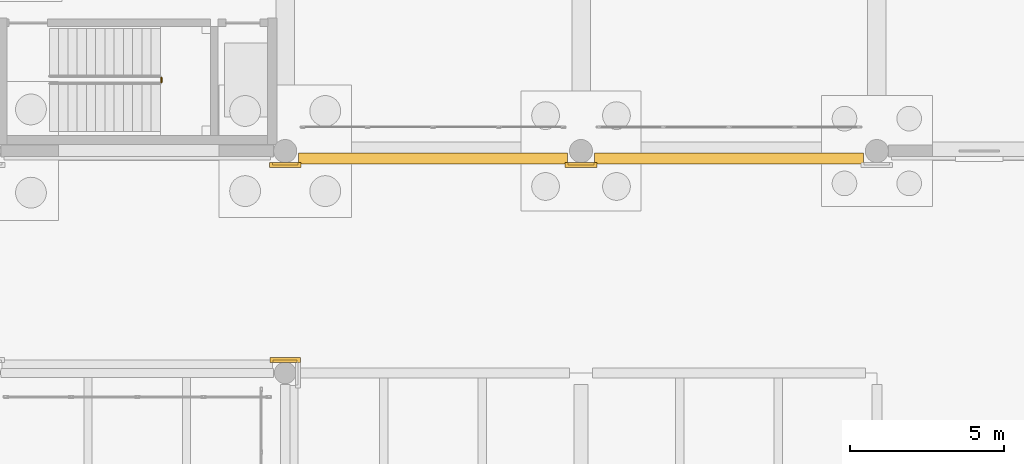
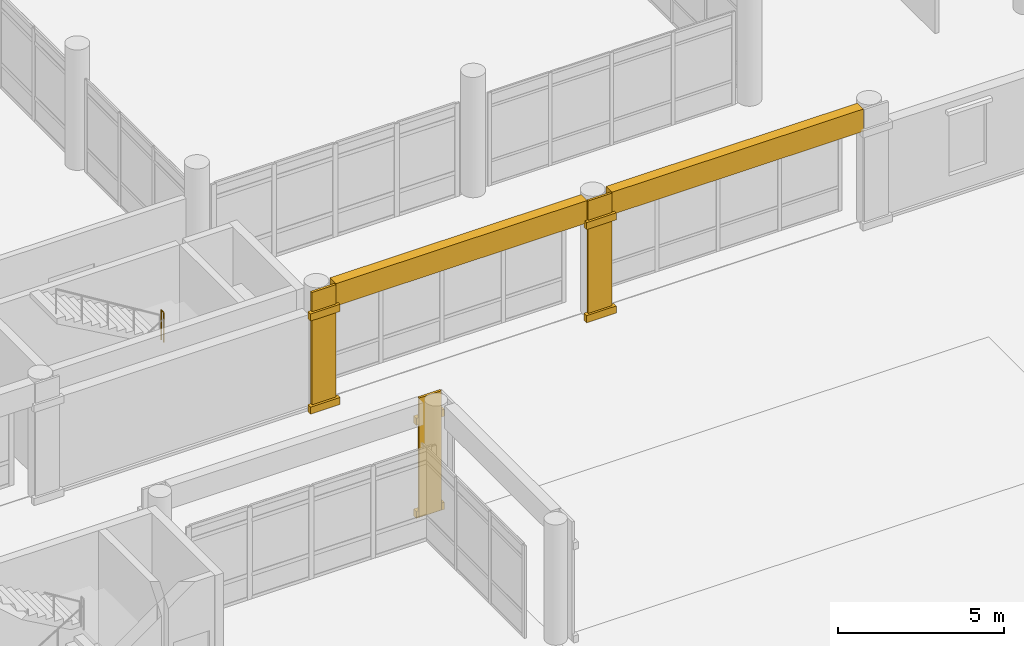
# One storey, part 183 of 196: 11 coverings, 1 railing.
"""IFC4 building model written with IfcOpenShell, lengths in metres."""

from ifc_helpers import new_model, si_unit, direction, frame, origin, origin_2d, place, context, subcontext, project, spatial, rectangle, circle, extrude, material, layer, layer_set, type_object, element, save


model = new_model("IFC4")

# Units and contexts
model_context = context("Model", 3, precision=1e-05, world=origin(), true_north=direction((0.0, 1.0)))
body_context = subcontext(model_context, "Body", "Model", "MODEL_VIEW")
ifc_project = project(units=[si_unit("LENGTHUNIT", "METRE"), si_unit("AREAUNIT", "SQUARE_METRE"), si_unit("VOLUMEUNIT", "CUBIC_METRE"), si_unit("PLANEANGLEUNIT", "RADIAN"), si_unit("MASSUNIT", "GRAM", prefix="KILO")], contexts=[model_context])

# Site, building, storey
site_placement = place(None, origin())
site = spatial("IfcSite", under=ifc_project, at=site_placement, CompositionType="ELEMENT")
building_placement = place(site_placement, origin())
building = spatial("IfcBuilding", under=site, at=building_placement, Name="Asteropetra Specialist Clinic", CompositionType="ELEMENT")
storey_placement = place(building_placement, origin())
storey = spatial("IfcBuildingStorey", under=building, at=storey_placement, Name="L00", CompositionType="ELEMENT", Elevation=0.0)

# Coverings
ifc_material_1 = material(Name="Pentelic marble ashlar", Category="masonry")
ifc_layer = layer(ifc_material_1, 0.159912109375)
ifc_layer_set = layer_set([ifc_layer], Name="Pentelic marble ashlar")
covering_type = type_object("IfcCoveringType", Name="CRN-ENTAB-600", PredefinedType="MOLDING", material=ifc_layer_set)
for number, where, z_axis, x_axis, name in (
    (1, (52.800048828125, 69.360107421875, 3.58984375), (0.0, 0.0, 1.0), (1.0, 0.0, 0.0), "Stoa Classical Entablature SE-0064"),
    (2, (62.39990234375, 69.360107421875, 3.58984375), (0.0, 0.0, 1.0), (1.0, 0.0, 0.0), "Stoa Classical Entablature SE-0065"),
):
    element("IfcCovering", number, at=place(storey_placement, frame(where, z_axis=z_axis, x_axis=x_axis)), inside=storey, type_object=covering_type, Name=name, PredefinedType="MOLDING", context=body_context, shape_type="SweptSolid", body=[
        extrude(rectangle(XDim=8.72998046875, YDim=0.360107421875, at=origin_2d()), origin(), (0.0, 0.0, 1.0), 0.820068359375),
    ])
covering_1_placement = place(storey_placement, frame((48.0, 69.193115234375, 0.02001953125), z_axis=(0.0, 0.0, 1.0), x_axis=(1.0, 0.0, 0.0)))
element("IfcCovering", 3, at=covering_1_placement, inside=storey, type_object=covering_type, Name="Neoclassical Pilaster Facing CM-0508", PredefinedType="MOLDING", context=body_context, shape_type="SweptSolid", body=[
    extrude(rectangle(XDim=0.830078125, YDim=0.080078125, at=origin_2d()), origin(), (0.0, 0.0, 1.0), 4.3798828125),
])
for number, where, z_axis, x_axis, name in (
    (4, (48.0, 69.153076171875, 0.009765625), (0.0, 0.0, 1.0), (1.0, 0.0, 0.0), "Doric Base CC-0509"),
    (5, (48.0, 69.153076171875, 3.43017578125), (0.0, 0.0, 1.0), (1.0, 0.0, 0.0), "Doric Capital CC-0510"),
):
    element("IfcCovering", number, at=place(storey_placement, frame(where, z_axis=z_axis, x_axis=x_axis)), inside=storey, type_object=covering_type, Name=name, PredefinedType="MOLDING", context=body_context, shape_type="SweptSolid", body=[
        extrude(rectangle(XDim=1.030029296875, YDim=0.159912109375, at=origin_2d()), origin(), (0.0, 0.0, 1.0), 0.260009765625),
    ])
covering_2_placement = place(storey_placement, frame((57.60009765625, 69.193115234375, 0.02001953125), z_axis=(0.0, 0.0, 1.0), x_axis=(1.0, 0.0, 0.0)))
element("IfcCovering", 6, at=covering_2_placement, inside=storey, type_object=covering_type, Name="Neoclassical Pilaster Facing CM-0514", PredefinedType="MOLDING", context=body_context, shape_type="SweptSolid", body=[
    extrude(rectangle(XDim=0.830078125, YDim=0.080078125, at=origin_2d()), origin(), (0.0, 0.0, 1.0), 4.3798828125),
])
for number, where, z_axis, x_axis, name in (
    (7, (57.60009765625, 69.153076171875, 0.009765625), (0.0, 0.0, 1.0), (1.0, 0.0, 0.0), "Doric Base CC-0515"),
    (8, (57.60009765625, 69.153076171875, 3.43017578125), (0.0, 0.0, 1.0), (1.0, 0.0, 0.0), "Doric Capital CC-0516"),
):
    element("IfcCovering", number, at=place(storey_placement, frame(where, z_axis=z_axis, x_axis=x_axis)), inside=storey, type_object=covering_type, Name=name, PredefinedType="MOLDING", context=body_context, shape_type="SweptSolid", body=[
        extrude(rectangle(XDim=1.030029296875, YDim=0.159912109375, at=origin_2d()), origin(), (0.0, 0.0, 1.0), 0.260009765625),
    ])
covering_3_placement = place(storey_placement, frame((48.0, 62.781982421875, 0.02001953125), z_axis=(0.0, 0.0, 1.0), x_axis=(1.0, 0.0, 0.0)))
element("IfcCovering", 9, at=covering_3_placement, inside=storey, type_object=covering_type, Name="Neoclassical Pilaster Facing CM-0805", PredefinedType="MOLDING", context=body_context, shape_type="SweptSolid", body=[
    extrude(rectangle(XDim=0.780029296875, YDim=0.080078125, at=origin_2d()), origin(), (0.0, 0.0, 1.0), 4.3798828125),
])
for number, where, z_axis, x_axis, name in (
    (10, (48.0, 62.822021484375, 0.009765625), (0.0, 0.0, 1.0), (1.0, 0.0, 0.0), "Doric Base CC-0806"),
    (11, (48.0, 62.822021484375, 3.43017578125), (0.0, 0.0, 1.0), (1.0, 0.0, 0.0), "Doric Capital CC-0807"),
):
    element("IfcCovering", number, at=place(storey_placement, frame(where, z_axis=z_axis, x_axis=x_axis)), inside=storey, type_object=covering_type, Name=name, PredefinedType="MOLDING", context=body_context, shape_type="SweptSolid", body=[
        extrude(rectangle(XDim=0.97998046875, YDim=0.159912109375, at=origin_2d()), origin(), (0.0, 0.0, 1.0), 0.260009765625),
    ])

# Railing
ifc_material_2 = material(Name="Steel S355 and laminated glass guard", Category="steel")
railing_type = type_object("IfcRailingType", Name="GRD-INT-1120", PredefinedType="GUARDRAIL", material=ifc_material_2)
railing_placement = place(storey_placement, frame((43.97998046875, 71.840087890625, 2.2099609375)))
element("IfcRailing", 12, at=railing_placement, inside=storey, type_object=railing_type, Name="Landing Slot Guard ST03-L00", PredefinedType="GUARDRAIL", context=body_context, shape_type="SweptSolid", body=[
    extrude(circle(Radius=0.02392578125, at=origin_2d()), frame((0.0, 0.0, 1.09619140625), z_axis=(0.0, 1.0, 0.0), x_axis=(-1.0, 0.0, 0.0)), (0.0, 0.0, 1.0), 0.139892578125),
    extrude(circle(Radius=0.02099609375, at=origin_2d()), origin(), (0.0, 0.0, 1.0), 1.072021484375),
    extrude(circle(Radius=0.02099609375, at=origin_2d()), frame((0.0, 0.139892578125, 0.0)), (0.0, 0.0, 1.0), 1.072021484375),
])

save(model, "model.ifc")
